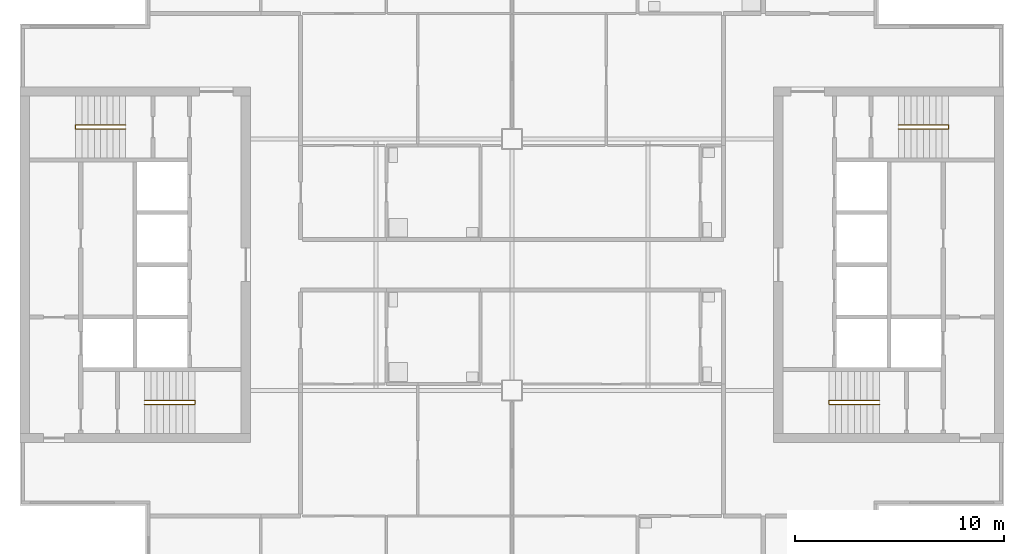
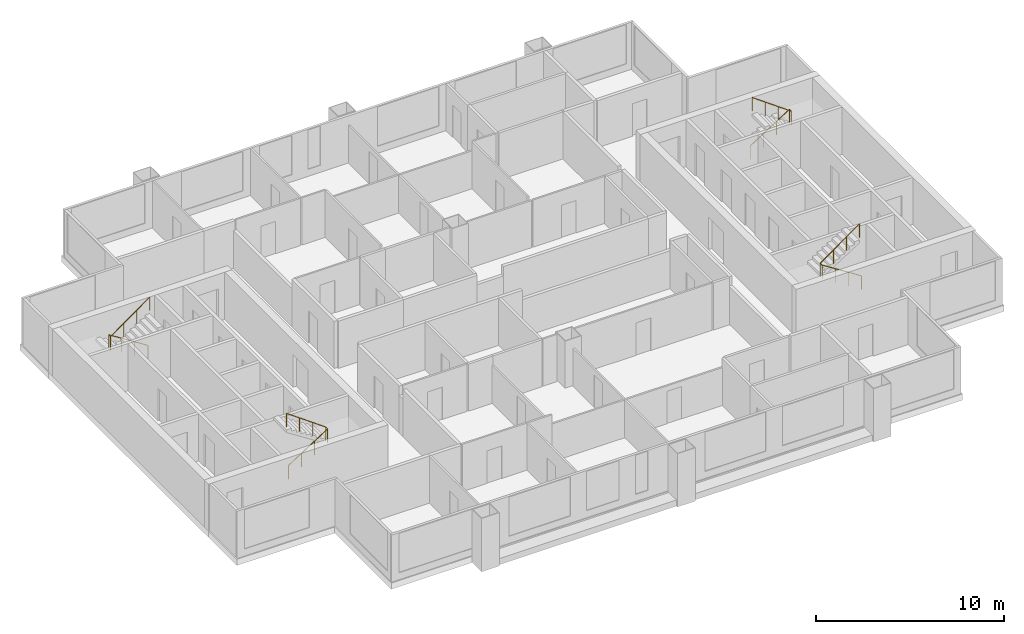
# One storey, part 7 of 8: 4 railings.
"""IFC4 building model written with IfcOpenShell, lengths in metres."""

from ifc_helpers import new_model, si_unit, direction, frame, origin, origin_2d, place, context, subcontext, project, spatial, circle, extrude, material, type_object, element, save


model = new_model("IFC4")

# Units and contexts
model_context = context("Model", 3, precision=1e-05, world=origin(), true_north=direction((0.0, 1.0)))
body_context = subcontext(model_context, "Body", "Model", "MODEL_VIEW")
ifc_project = project(units=[si_unit("LENGTHUNIT", "METRE"), si_unit("AREAUNIT", "SQUARE_METRE"), si_unit("VOLUMEUNIT", "CUBIC_METRE"), si_unit("PLANEANGLEUNIT", "RADIAN"), si_unit("MASSUNIT", "GRAM", prefix="KILO")], contexts=[model_context])

# Site, building, storey
site_placement = place(None, origin())
site = spatial("IfcSite", under=ifc_project, at=site_placement, CompositionType="ELEMENT")
building_placement = place(site_placement, origin())
building = spatial("IfcBuilding", under=site, at=building_placement, Name="Kitamizu Gate Tower and Museum", CompositionType="ELEMENT")
storey_placement = place(building_placement, frame((0.0, 0.0, 235.199951171875)))
storey = spatial("IfcBuildingStorey", under=building, at=storey_placement, Name="L63", CompositionType="ELEMENT", Elevation=235.199951171875)

# Railings
ifc_material = material(Name="Stainless steel SUS304", Category="steel")
railing_type = type_object("IfcRailingType", Name="Stair handrail 900", PredefinedType="HANDRAIL", material=ifc_material)
railing_1_placement = place(storey_placement, frame((18.449951171875, 23.324951171875, 0.191650390625)))
element("IfcRailing", 1, at=railing_1_placement, inside=storey, type_object=railing_type, Name="Stair handrail ST1", PredefinedType="HANDRAIL", context=body_context, shape_type="SweptSolid", body=[
    extrude(circle(Radius=0.02392578125, at=origin_2d()), frame((0.0, 0.0, 0.8759765625), z_axis=(0.842693018954, 0.0, 0.538394349715), x_axis=(0.0, 1.0, 0.0)), (0.0, 0.0, 1.0), 2.84814453125),
    extrude(circle(Radius=0.02392578125, at=origin_2d()), frame((2.400146484375, 0.0, 2.4091796875), z_axis=(0.0, 1.0, 0.0), x_axis=(-1.0, 0.0, 0.0)), (0.0, 0.0, 1.0), 0.199951171875),
    extrude(circle(Radius=0.02392578125, at=origin_2d()), frame((2.400146484375, 0.199951171875, 2.4091796875), z_axis=(-0.812055739374, 0.0, 0.583579879837), x_axis=(0.0, -1.0, 0.0)), (0.0, 0.0, 1.0), 2.95556640625),
    extrude(circle(Radius=0.02099609375, at=origin_2d()), origin(), (0.0, 0.0, 1.0), 0.851806640625),
    extrude(circle(Radius=0.02099609375, at=origin_2d()), frame((0.800048828125, 0.0, 0.51123046875)), (0.0, 0.0, 1.0), 0.851806640625),
    extrude(circle(Radius=0.02099609375, at=origin_2d()), frame((1.60009765625, 0.0, 1.022216796875)), (0.0, 0.0, 1.0), 0.851806640625),
    extrude(circle(Radius=0.02099609375, at=origin_2d()), frame((2.400146484375, 0.0, 1.533447265625)), (0.0, 0.0, 1.0), 0.851806640625),
    extrude(circle(Radius=0.02099609375, at=origin_2d()), frame((2.400146484375, 0.199951171875, 1.533447265625)), (0.0, 0.0, 1.0), 0.851806640625),
    extrude(circle(Radius=0.02099609375, at=origin_2d()), frame((1.60009765625, 0.199951171875, 2.1083984375)), (0.0, 0.0, 1.0), 0.851806640625),
    extrude(circle(Radius=0.02099609375, at=origin_2d()), frame((0.800048828125, 0.199951171875, 2.683349609375)), (0.0, 0.0, 1.0), 0.851806640625),
    extrude(circle(Radius=0.02099609375, at=origin_2d()), frame((0.0, 0.199951171875, 3.25830078125)), (0.0, 0.0, 1.0), 0.851806640625),
])
railing_2_placement = place(storey_placement, frame((17.550048828125, 36.675048828125, 0.191650390625)))
element("IfcRailing", 2, at=railing_2_placement, inside=storey, type_object=railing_type, Name="Stair handrail ST2", PredefinedType="HANDRAIL", context=body_context, shape_type="SweptSolid", body=[
    extrude(circle(Radius=0.02392578125, at=origin_2d()), frame((0.0, 0.0, 0.8759765625), z_axis=(-0.842693018954, 0.0, 0.538394349715), x_axis=(0.0, -1.0, 0.0)), (0.0, 0.0, 1.0), 2.84814453125),
    extrude(circle(Radius=0.02392578125, at=origin_2d()), frame((-2.400146484375, 0.0, 2.4091796875), z_axis=(0.0, -1.0, 0.0), x_axis=(1.0, 0.0, 0.0)), (0.0, 0.0, 1.0), 0.199951171875),
    extrude(circle(Radius=0.02392578125, at=origin_2d()), frame((-2.400146484375, -0.199951171875, 2.4091796875), z_axis=(0.812055739374, 0.0, 0.583579879837), x_axis=(0.0, 1.0, 0.0)), (0.0, 0.0, 1.0), 2.95556640625),
    extrude(circle(Radius=0.02099609375, at=origin_2d()), origin(), (0.0, 0.0, 1.0), 0.851806640625),
    extrude(circle(Radius=0.02099609375, at=origin_2d()), frame((-0.800048828125, 0.0, 0.51123046875)), (0.0, 0.0, 1.0), 0.851806640625),
    extrude(circle(Radius=0.02099609375, at=origin_2d()), frame((-1.60009765625, 0.0, 1.022216796875)), (0.0, 0.0, 1.0), 0.851806640625),
    extrude(circle(Radius=0.02099609375, at=origin_2d()), frame((-2.400146484375, 0.0, 1.533447265625)), (0.0, 0.0, 1.0), 0.851806640625),
    extrude(circle(Radius=0.02099609375, at=origin_2d()), frame((-2.400146484375, -0.199951171875, 1.533447265625)), (0.0, 0.0, 1.0), 0.851806640625),
    extrude(circle(Radius=0.02099609375, at=origin_2d()), frame((-1.60009765625, -0.199951171875, 2.1083984375)), (0.0, 0.0, 1.0), 0.851806640625),
    extrude(circle(Radius=0.02099609375, at=origin_2d()), frame((-0.800048828125, -0.199951171875, 2.683349609375)), (0.0, 0.0, 1.0), 0.851806640625),
    extrude(circle(Radius=0.02099609375, at=origin_2d()), frame((0.0, -0.199951171875, 3.25830078125)), (0.0, 0.0, 1.0), 0.851806640625),
])
railing_3_placement = place(storey_placement, frame((53.550048828125, 23.324951171875, 0.191650390625)))
element("IfcRailing", 3, at=railing_3_placement, inside=storey, type_object=railing_type, Name="Stair handrail ST3", PredefinedType="HANDRAIL", context=body_context, shape_type="SweptSolid", body=[
    extrude(circle(Radius=0.02392578125, at=origin_2d()), frame((0.0, 0.0, 0.8759765625), z_axis=(-0.842693018954, 0.0, 0.538394349715), x_axis=(0.0, -1.0, 0.0)), (0.0, 0.0, 1.0), 2.84814453125),
    extrude(circle(Radius=0.02392578125, at=origin_2d()), frame((-2.400146484375, 0.0, 2.4091796875), z_axis=(0.0, 1.0, 0.0), x_axis=(-1.0, 0.0, 0.0)), (0.0, 0.0, 1.0), 0.199951171875),
    extrude(circle(Radius=0.02392578125, at=origin_2d()), frame((-2.400146484375, 0.199951171875, 2.4091796875), z_axis=(0.812055739374, 0.0, 0.583579879837), x_axis=(0.0, 1.0, 0.0)), (0.0, 0.0, 1.0), 2.95556640625),
    extrude(circle(Radius=0.02099609375, at=origin_2d()), origin(), (0.0, 0.0, 1.0), 0.851806640625),
    extrude(circle(Radius=0.02099609375, at=origin_2d()), frame((-0.800048828125, 0.0, 0.51123046875)), (0.0, 0.0, 1.0), 0.851806640625),
    extrude(circle(Radius=0.02099609375, at=origin_2d()), frame((-1.60009765625, 0.0, 1.022216796875)), (0.0, 0.0, 1.0), 0.851806640625),
    extrude(circle(Radius=0.02099609375, at=origin_2d()), frame((-2.400146484375, 0.0, 1.533447265625)), (0.0, 0.0, 1.0), 0.851806640625),
    extrude(circle(Radius=0.02099609375, at=origin_2d()), frame((-2.400146484375, 0.199951171875, 1.533447265625)), (0.0, 0.0, 1.0), 0.851806640625),
    extrude(circle(Radius=0.02099609375, at=origin_2d()), frame((-1.60009765625, 0.199951171875, 2.1083984375)), (0.0, 0.0, 1.0), 0.851806640625),
    extrude(circle(Radius=0.02099609375, at=origin_2d()), frame((-0.800048828125, 0.199951171875, 2.683349609375)), (0.0, 0.0, 1.0), 0.851806640625),
    extrude(circle(Radius=0.02099609375, at=origin_2d()), frame((0.0, 0.199951171875, 3.25830078125)), (0.0, 0.0, 1.0), 0.851806640625),
])
railing_4_placement = place(storey_placement, frame((54.449951171875, 36.675048828125, 0.191650390625)))
element("IfcRailing", 4, at=railing_4_placement, inside=storey, type_object=railing_type, Name="Stair handrail ST4", PredefinedType="HANDRAIL", context=body_context, shape_type="SweptSolid", body=[
    extrude(circle(Radius=0.02392578125, at=origin_2d()), frame((0.0, 0.0, 0.8759765625), z_axis=(0.842693018954, 0.0, 0.538394349715), x_axis=(0.0, 1.0, 0.0)), (0.0, 0.0, 1.0), 2.84814453125),
    extrude(circle(Radius=0.02392578125, at=origin_2d()), frame((2.400146484375, 0.0, 2.4091796875), z_axis=(0.0, -1.0, 0.0), x_axis=(1.0, 0.0, 0.0)), (0.0, 0.0, 1.0), 0.199951171875),
    extrude(circle(Radius=0.02392578125, at=origin_2d()), frame((2.400146484375, -0.199951171875, 2.4091796875), z_axis=(-0.812055739374, 0.0, 0.583579879837), x_axis=(0.0, -1.0, 0.0)), (0.0, 0.0, 1.0), 2.95556640625),
    extrude(circle(Radius=0.02099609375, at=origin_2d()), origin(), (0.0, 0.0, 1.0), 0.851806640625),
    extrude(circle(Radius=0.02099609375, at=origin_2d()), frame((0.800048828125, 0.0, 0.51123046875)), (0.0, 0.0, 1.0), 0.851806640625),
    extrude(circle(Radius=0.02099609375, at=origin_2d()), frame((1.60009765625, 0.0, 1.022216796875)), (0.0, 0.0, 1.0), 0.851806640625),
    extrude(circle(Radius=0.02099609375, at=origin_2d()), frame((2.400146484375, 0.0, 1.533447265625)), (0.0, 0.0, 1.0), 0.851806640625),
    extrude(circle(Radius=0.02099609375, at=origin_2d()), frame((2.400146484375, -0.199951171875, 1.533447265625)), (0.0, 0.0, 1.0), 0.851806640625),
    extrude(circle(Radius=0.02099609375, at=origin_2d()), frame((1.60009765625, -0.199951171875, 2.1083984375)), (0.0, 0.0, 1.0), 0.851806640625),
    extrude(circle(Radius=0.02099609375, at=origin_2d()), frame((0.800048828125, -0.199951171875, 2.683349609375)), (0.0, 0.0, 1.0), 0.851806640625),
    extrude(circle(Radius=0.02099609375, at=origin_2d()), frame((0.0, -0.199951171875, 3.25830078125)), (0.0, 0.0, 1.0), 0.851806640625),
])

save(model, "model.ifc")
